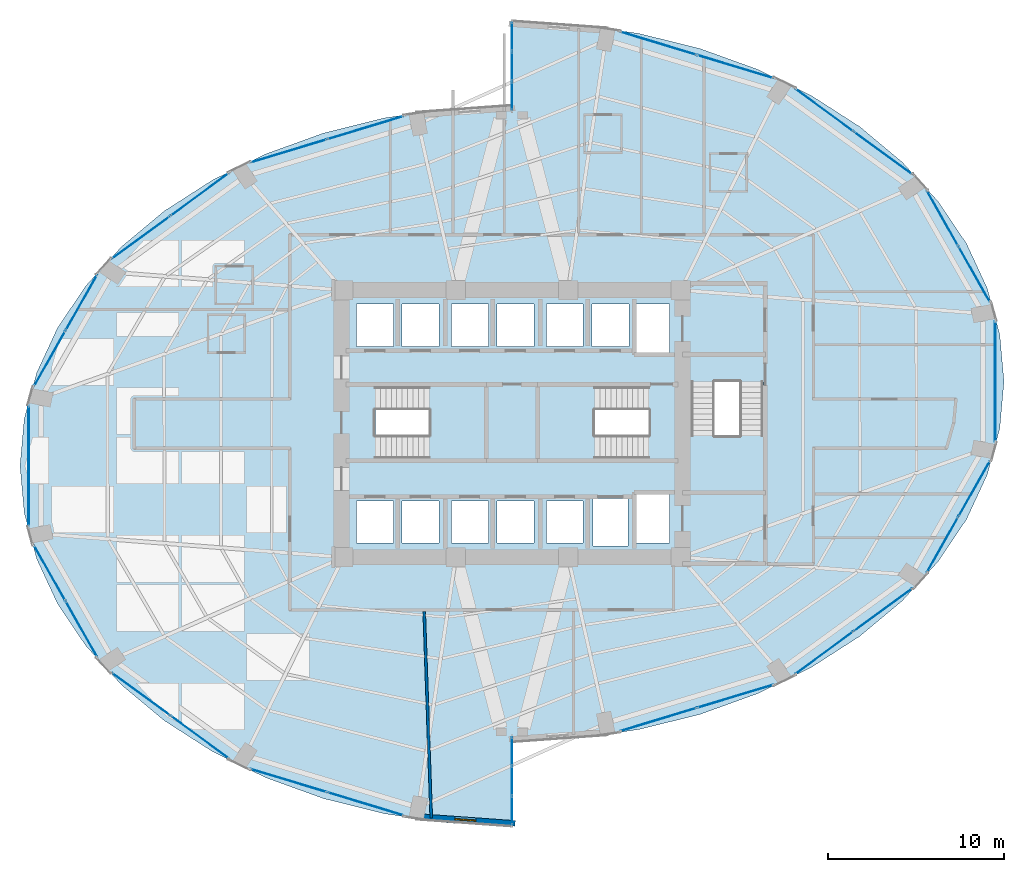
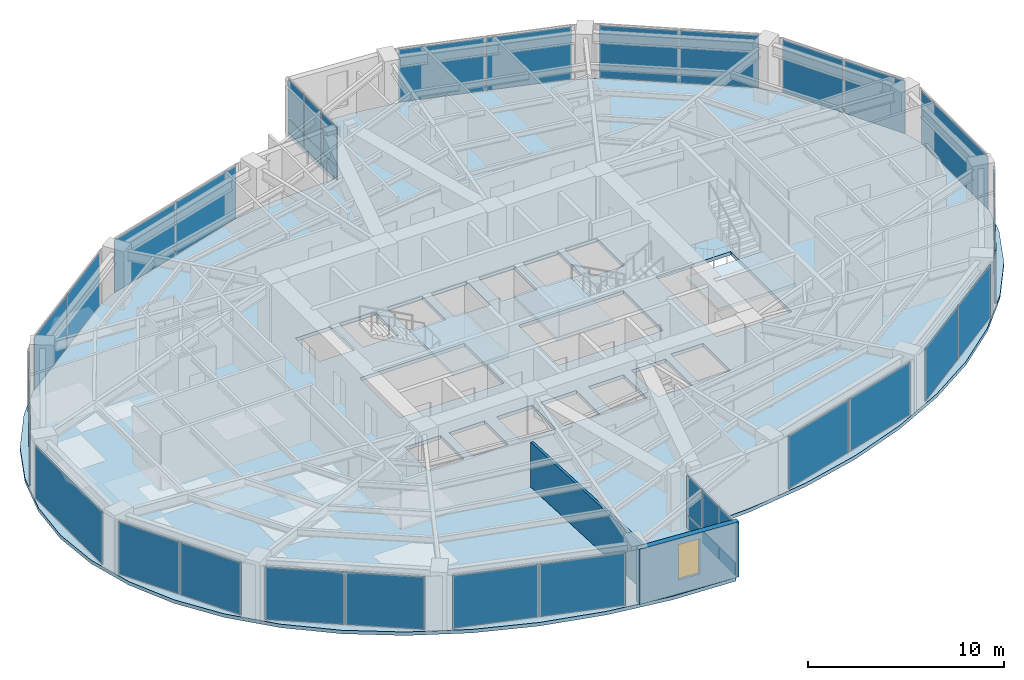
# One storey, part 20 of 25: 38 plates, 4 slabs, 2 walls, 1 window, 1 opening, 19 elements without a shape of their own.
"""IFC4 building model written with IfcOpenShell, lengths in metres."""

from ifc_helpers import new_model, si_unit, direction, frame, frame_2d, origin, origin_2d, place, context, subcontext, project, spatial, polyline, rectangle, outline, extrude, material, layer, layer_set, type_object, element, fill, aggregate, save


model = new_model("IFC4")

# Units and contexts
model_context = context("Model", 3, precision=1e-05, world=origin(), true_north=direction((0.0, 1.0)))
body_context = subcontext(model_context, "Body", "Model", "MODEL_VIEW")
ifc_project = project(units=[si_unit("LENGTHUNIT", "METRE"), si_unit("AREAUNIT", "SQUARE_METRE"), si_unit("VOLUMEUNIT", "CUBIC_METRE"), si_unit("PLANEANGLEUNIT", "RADIAN"), si_unit("MASSUNIT", "GRAM", prefix="KILO")], contexts=[model_context])

# Site, building, storey
site_placement = place(None, origin())
site = spatial("IfcSite", under=ifc_project, at=site_placement, CompositionType="ELEMENT")
building_placement = place(site_placement, origin())
building = spatial("IfcBuilding", under=site, at=building_placement, Name="Lazwardi Medical Tower", CompositionType="ELEMENT")
storey_placement = place(building_placement, frame((0.0, 0.0, 50.736083984375)))
storey = spatial("IfcBuildingStorey", under=building, at=storey_placement, Name="L12", CompositionType="ELEMENT", Elevation=50.736083984375)

# Curtain wall, plates
ifc_material_1 = material(Name="Anodised bronze aluminium and solar control glazing", Category="aluminium")
ifc_layer_1 = layer(ifc_material_1, 0.199951171875)
ifc_layer_set_1 = layer_set([ifc_layer_1], Name="Anodised bronze aluminium and solar control glazing")
curtain_wall_type_1 = type_object("IfcCurtainWallType", Name="CW-SYS-02", PredefinedType="NOTDEFINED", material=ifc_layer_set_1)
curtain_wall_1_placement = place(storey_placement, origin())
curtain_wall_1 = element("IfcCurtainWall", 1, at=curtain_wall_1_placement, inside=storey, type_object=curtain_wall_type_1, Name="L12 Unitised bronze curtain wall CW-02", PredefinedType="NOTDEFINED")
ifc_material_2 = material(Name="Low-e bronze solar control double glazing", Category="glass")
ifc_layer_2 = layer(ifc_material_2, 0.035888671875)
ifc_layer_set_2 = layer_set([ifc_layer_2], Name="Low-e bronze solar control double glazing")
plate_type_1 = type_object("IfcPlateType", Name="PLT-GLZ-01", PredefinedType="CURTAIN_PANEL", material=ifc_layer_set_2)
plate_1_placement = place(storey_placement, frame((44.335693359375, 11.158935546875, 0.07470703125), z_axis=(0.0, 0.0, 1.0), x_axis=(0.957058247129, 0.2898956909, 0.0)))
plate_1 = element("IfcPlate", 2, at=plate_1_placement, type_object=plate_type_1, Name="CW-02 panel 1.1", PredefinedType="CURTAIN_PANEL", context=body_context, shape_type="SweptSolid", body=[
    extrude(rectangle(XDim=4.49658203125, YDim=0.035888671875, at=origin_2d()), origin(), (0.0, 0.0, 1.0), 3.278076171875),
])
plate_2_placement = place(storey_placement, frame((48.7109375, 12.484130859375, 0.07470703125), z_axis=(0.0, 0.0, 1.0), x_axis=(0.957058247129, 0.2898956909, 0.0)))
plate_2 = element("IfcPlate", 3, at=plate_2_placement, type_object=plate_type_1, Name="CW-02 panel 2.1", PredefinedType="CURTAIN_PANEL", context=body_context, shape_type="SweptSolid", body=[
    extrude(rectangle(XDim=4.49658203125, YDim=0.035888671875, at=origin_2d()), origin(), (0.0, 0.0, 1.0), 3.278076171875),
])
aggregate(curtain_wall_1, [plate_1, plate_2])

curtain_wall_2_placement = place(storey_placement, origin())
curtain_wall_2 = element("IfcCurtainWall", 4, at=curtain_wall_2_placement, inside=storey, type_object=curtain_wall_type_1, Name="L12 Unitised bronze curtain wall CW-02", PredefinedType="NOTDEFINED")
plate_3_placement = place(storey_placement, frame((53.771484375, 14.957275390625, 0.07470703125), z_axis=(0.0, 0.0, 1.0), x_axis=(0.807191757663, 0.590289307341, 0.0)))
plate_3 = element("IfcPlate", 5, at=plate_3_placement, type_object=plate_type_1, Name="CW-02 panel 1.1", PredefinedType="CURTAIN_PANEL", context=body_context, shape_type="SweptSolid", body=[
    extrude(rectangle(XDim=4.070068359375, YDim=0.035888671875, at=origin_2d()), origin(), (0.0, 0.0, 1.0), 3.278076171875),
])
plate_4_placement = place(storey_placement, frame((57.117431640625, 17.404052734375, 0.07470703125), z_axis=(0.0, 0.0, 1.0), x_axis=(0.807191757663, 0.590289307341, 0.0)))
plate_4 = element("IfcPlate", 6, at=plate_4_placement, type_object=plate_type_1, Name="CW-02 panel 2.1", PredefinedType="CURTAIN_PANEL", context=body_context, shape_type="SweptSolid", body=[
    extrude(rectangle(XDim=4.070068359375, YDim=0.035888671875, at=origin_2d()), origin(), (0.0, 0.0, 1.0), 3.278076171875),
])
aggregate(curtain_wall_2, [plate_3, plate_4])

curtain_wall_3_placement = place(storey_placement, origin())
curtain_wall_3 = element("IfcCurtainWall", 7, at=curtain_wall_3_placement, inside=storey, type_object=curtain_wall_type_1, Name="L12 Unitised bronze curtain wall CW-02", PredefinedType="NOTDEFINED")
plate_5_placement = place(storey_placement, frame((60.5009765625, 21.10791015625, 0.07470703125), z_axis=(0.0, 0.0, 1.0), x_axis=(0.492854327303, 0.870111838823, 0.0)))
plate_5 = element("IfcPlate", 8, at=plate_5_placement, type_object=plate_type_1, Name="CW-02 panel 1.1", PredefinedType="CURTAIN_PANEL", context=body_context, shape_type="SweptSolid", body=[
    extrude(rectangle(XDim=3.5947265625, YDim=0.035888671875, at=origin_2d()), origin(), (0.0, 0.0, 1.0), 3.278076171875),
])
plate_6_placement = place(storey_placement, frame((62.3095703125, 24.301025390625, 0.07470703125), z_axis=(0.0, 0.0, 1.0), x_axis=(0.492854327303, 0.870111838823, 0.0)))
plate_6 = element("IfcPlate", 9, at=plate_6_placement, type_object=plate_type_1, Name="CW-02 panel 2.1", PredefinedType="CURTAIN_PANEL", context=body_context, shape_type="SweptSolid", body=[
    extrude(rectangle(XDim=3.5947265625, YDim=0.035888671875, at=origin_2d()), origin(), (0.0, 0.0, 1.0), 3.278076171875),
])
aggregate(curtain_wall_3, [plate_5, plate_6])

# Curtain wall, plate
curtain_wall_4_placement = place(storey_placement, origin())
curtain_wall_4 = element("IfcCurtainWall", 10, at=curtain_wall_4_placement, inside=storey, type_object=curtain_wall_type_1, Name="L12 Unitised bronze curtain wall CW-02", PredefinedType="NOTDEFINED")
plate_7_placement = place(storey_placement, frame((63.49853515625, 30.39990234375, 0.07470703125), z_axis=(0.0, 0.0, 1.0), x_axis=(0.0, 1.0, 0.0)))
plate_7 = element("IfcPlate", 11, at=plate_7_placement, type_object=plate_type_1, Name="CW-02 panel 1.1", PredefinedType="CURTAIN_PANEL", context=body_context, shape_type="SweptSolid", body=[
    extrude(rectangle(XDim=6.8330078125, YDim=0.035888671875, at=origin_2d()), origin(), (0.0, 0.0, 1.0), 3.278076171875),
])
aggregate(curtain_wall_4, [plate_7])

# Curtain wall, plates
curtain_wall_5_placement = place(storey_placement, origin())
curtain_wall_5 = element("IfcCurtainWall", 12, at=curtain_wall_5_placement, inside=storey, type_object=curtain_wall_type_1, Name="L12 Unitised bronze curtain wall CW-02", PredefinedType="NOTDEFINED")
plate_8_placement = place(storey_placement, frame((62.3095703125, 36.498779296875, 0.07470703125), z_axis=(0.0, 0.0, 1.0), x_axis=(-0.492854327303, 0.870111838823, 0.0)))
plate_8 = element("IfcPlate", 13, at=plate_8_placement, type_object=plate_type_1, Name="CW-02 panel 1.1", PredefinedType="CURTAIN_PANEL", context=body_context, shape_type="SweptSolid", body=[
    extrude(rectangle(XDim=3.5947265625, YDim=0.035888671875, at=origin_2d()), origin(), (0.0, 0.0, 1.0), 3.278076171875),
])
plate_9_placement = place(storey_placement, frame((60.5009765625, 39.69189453125, 0.07470703125), z_axis=(0.0, 0.0, 1.0), x_axis=(-0.492854327303, 0.870111838823, 0.0)))
plate_9 = element("IfcPlate", 14, at=plate_9_placement, type_object=plate_type_1, Name="CW-02 panel 2.1", PredefinedType="CURTAIN_PANEL", context=body_context, shape_type="SweptSolid", body=[
    extrude(rectangle(XDim=3.5947265625, YDim=0.035888671875, at=origin_2d()), origin(), (0.0, 0.0, 1.0), 3.278076171875),
])
aggregate(curtain_wall_5, [plate_8, plate_9])

curtain_wall_6_placement = place(storey_placement, origin())
curtain_wall_6 = element("IfcCurtainWall", 15, at=curtain_wall_6_placement, inside=storey, type_object=curtain_wall_type_1, Name="L12 Unitised bronze curtain wall CW-02", PredefinedType="NOTDEFINED")
plate_10_placement = place(storey_placement, frame((57.117431640625, 43.39599609375, 0.07470703125), z_axis=(0.0, 0.0, 1.0), x_axis=(-0.807191757663, 0.590289307341, 0.0)))
plate_10 = element("IfcPlate", 16, at=plate_10_placement, type_object=plate_type_1, Name="CW-02 panel 1.1", PredefinedType="CURTAIN_PANEL", context=body_context, shape_type="SweptSolid", body=[
    extrude(rectangle(XDim=4.070068359375, YDim=0.035888671875, at=origin_2d()), origin(), (0.0, 0.0, 1.0), 3.278076171875),
])
plate_11_placement = place(storey_placement, frame((53.771484375, 45.8427734375, 0.07470703125), z_axis=(0.0, 0.0, 1.0), x_axis=(-0.807191757663, 0.590289307341, 0.0)))
plate_11 = element("IfcPlate", 17, at=plate_11_placement, type_object=plate_type_1, Name="CW-02 panel 2.1", PredefinedType="CURTAIN_PANEL", context=body_context, shape_type="SweptSolid", body=[
    extrude(rectangle(XDim=4.070068359375, YDim=0.035888671875, at=origin_2d()), origin(), (0.0, 0.0, 1.0), 3.278076171875),
])
aggregate(curtain_wall_6, [plate_10, plate_11])

curtain_wall_7_placement = place(storey_placement, origin())
curtain_wall_7 = element("IfcCurtainWall", 18, at=curtain_wall_7_placement, inside=storey, type_object=curtain_wall_type_1, Name="L12 Unitised bronze curtain wall CW-02", PredefinedType="NOTDEFINED")
plate_12_placement = place(storey_placement, frame((48.7109375, 48.31591796875, 0.07470703125), z_axis=(0.0, 0.0, 1.0), x_axis=(-0.957058247129, 0.2898956909, 0.0)))
plate_12 = element("IfcPlate", 19, at=plate_12_placement, type_object=plate_type_1, Name="CW-02 panel 1.1", PredefinedType="CURTAIN_PANEL", context=body_context, shape_type="SweptSolid", body=[
    extrude(rectangle(XDim=4.49658203125, YDim=0.035888671875, at=origin_2d()), origin(), (0.0, 0.0, 1.0), 3.278076171875),
])
plate_13_placement = place(storey_placement, frame((44.335693359375, 49.64111328125, 0.07470703125), z_axis=(0.0, 0.0, 1.0), x_axis=(-0.957058247129, 0.2898956909, 0.0)))
plate_13 = element("IfcPlate", 20, at=plate_13_placement, type_object=plate_type_1, Name="CW-02 panel 2.1", PredefinedType="CURTAIN_PANEL", context=body_context, shape_type="SweptSolid", body=[
    extrude(rectangle(XDim=4.49658203125, YDim=0.035888671875, at=origin_2d()), origin(), (0.0, 0.0, 1.0), 3.278076171875),
])
aggregate(curtain_wall_7, [plate_12, plate_13])

curtain_wall_8_placement = place(storey_placement, origin())
curtain_wall_8 = element("IfcCurtainWall", 21, at=curtain_wall_8_placement, inside=storey, type_object=curtain_wall_type_1, Name="L12 Unitised bronze curtain wall CW-02", PredefinedType="NOTDEFINED")
plate_14_placement = place(storey_placement, frame((27.664306640625, 44.841064453125, 0.07470703125), z_axis=(0.0, 0.0, 1.0), x_axis=(-0.957058247129, -0.2898956909, 0.0)))
plate_14 = element("IfcPlate", 22, at=plate_14_placement, type_object=plate_type_1, Name="CW-02 panel 1.1", PredefinedType="CURTAIN_PANEL", context=body_context, shape_type="SweptSolid", body=[
    extrude(rectangle(XDim=4.49658203125, YDim=0.035888671875, at=origin_2d()), origin(), (0.0, 0.0, 1.0), 3.278076171875),
])
plate_15_placement = place(storey_placement, frame((23.2890625, 43.515869140625, 0.07470703125), z_axis=(0.0, 0.0, 1.0), x_axis=(-0.957058247129, -0.2898956909, 0.0)))
plate_15 = element("IfcPlate", 23, at=plate_15_placement, type_object=plate_type_1, Name="CW-02 panel 2.1", PredefinedType="CURTAIN_PANEL", context=body_context, shape_type="SweptSolid", body=[
    extrude(rectangle(XDim=4.49658203125, YDim=0.035888671875, at=origin_2d()), origin(), (0.0, 0.0, 1.0), 3.278076171875),
])
aggregate(curtain_wall_8, [plate_14, plate_15])

curtain_wall_9_placement = place(storey_placement, origin())
curtain_wall_9 = element("IfcCurtainWall", 24, at=curtain_wall_9_placement, inside=storey, type_object=curtain_wall_type_1, Name="L12 Unitised bronze curtain wall CW-02", PredefinedType="NOTDEFINED")
plate_16_placement = place(storey_placement, frame((18.228515625, 41.042724609375, 0.07470703125), z_axis=(0.0, 0.0, 1.0), x_axis=(-0.807191757663, -0.590289307341, 0.0)))
plate_16 = element("IfcPlate", 25, at=plate_16_placement, type_object=plate_type_1, Name="CW-02 panel 1.1", PredefinedType="CURTAIN_PANEL", context=body_context, shape_type="SweptSolid", body=[
    extrude(rectangle(XDim=4.070068359375, YDim=0.035888671875, at=origin_2d()), origin(), (0.0, 0.0, 1.0), 3.278076171875),
])
plate_17_placement = place(storey_placement, frame((14.882568359375, 38.595947265625, 0.07470703125), z_axis=(0.0, 0.0, 1.0), x_axis=(-0.807191757663, -0.590289307341, 0.0)))
plate_17 = element("IfcPlate", 26, at=plate_17_placement, type_object=plate_type_1, Name="CW-02 panel 2.1", PredefinedType="CURTAIN_PANEL", context=body_context, shape_type="SweptSolid", body=[
    extrude(rectangle(XDim=4.070068359375, YDim=0.035888671875, at=origin_2d()), origin(), (0.0, 0.0, 1.0), 3.278076171875),
])
aggregate(curtain_wall_9, [plate_16, plate_17])

curtain_wall_10_placement = place(storey_placement, origin())
curtain_wall_10 = element("IfcCurtainWall", 27, at=curtain_wall_10_placement, inside=storey, type_object=curtain_wall_type_1, Name="L12 Unitised bronze curtain wall CW-02", PredefinedType="NOTDEFINED")
plate_18_placement = place(storey_placement, frame((11.4990234375, 34.89208984375, 0.07470703125), z_axis=(0.0, 0.0, 1.0), x_axis=(-0.492854327303, -0.870111838823, 0.0)))
plate_18 = element("IfcPlate", 28, at=plate_18_placement, type_object=plate_type_1, Name="CW-02 panel 1.1", PredefinedType="CURTAIN_PANEL", context=body_context, shape_type="SweptSolid", body=[
    extrude(rectangle(XDim=3.5947265625, YDim=0.035888671875, at=origin_2d()), origin(), (0.0, 0.0, 1.0), 3.278076171875),
])
plate_19_placement = place(storey_placement, frame((9.6904296875, 31.698974609375, 0.07470703125), z_axis=(0.0, 0.0, 1.0), x_axis=(-0.492854327303, -0.870111838823, 0.0)))
plate_19 = element("IfcPlate", 29, at=plate_19_placement, type_object=plate_type_1, Name="CW-02 panel 2.1", PredefinedType="CURTAIN_PANEL", context=body_context, shape_type="SweptSolid", body=[
    extrude(rectangle(XDim=3.5947265625, YDim=0.035888671875, at=origin_2d()), origin(), (0.0, 0.0, 1.0), 3.278076171875),
])
aggregate(curtain_wall_10, [plate_18, plate_19])

# Curtain wall, plate
curtain_wall_11_placement = place(storey_placement, origin())
curtain_wall_11 = element("IfcCurtainWall", 30, at=curtain_wall_11_placement, inside=storey, type_object=curtain_wall_type_1, Name="L12 Unitised bronze curtain wall CW-02", PredefinedType="NOTDEFINED")
plate_20_placement = place(storey_placement, frame((8.50146484375, 25.60009765625, 0.07470703125), z_axis=(0.0, 0.0, 1.0), x_axis=(0.0, -1.0, 0.0)))
plate_20 = element("IfcPlate", 31, at=plate_20_placement, type_object=plate_type_1, Name="CW-02 panel 1.1", PredefinedType="CURTAIN_PANEL", context=body_context, shape_type="SweptSolid", body=[
    extrude(rectangle(XDim=6.8330078125, YDim=0.035888671875, at=origin_2d()), origin(), (0.0, 0.0, 1.0), 3.278076171875),
])
aggregate(curtain_wall_11, [plate_20])

# Curtain wall, plates
curtain_wall_12_placement = place(storey_placement, origin())
curtain_wall_12 = element("IfcCurtainWall", 32, at=curtain_wall_12_placement, inside=storey, type_object=curtain_wall_type_1, Name="L12 Unitised bronze curtain wall CW-02", PredefinedType="NOTDEFINED")
plate_21_placement = place(storey_placement, frame((9.6904296875, 19.501220703125, 0.07470703125), z_axis=(0.0, 0.0, 1.0), x_axis=(0.492854327303, -0.870111838823, 0.0)))
plate_21 = element("IfcPlate", 33, at=plate_21_placement, type_object=plate_type_1, Name="CW-02 panel 1.1", PredefinedType="CURTAIN_PANEL", context=body_context, shape_type="SweptSolid", body=[
    extrude(rectangle(XDim=3.5947265625, YDim=0.035888671875, at=origin_2d()), origin(), (0.0, 0.0, 1.0), 3.278076171875),
])
plate_22_placement = place(storey_placement, frame((11.4990234375, 16.30810546875, 0.07470703125), z_axis=(0.0, 0.0, 1.0), x_axis=(0.492854327303, -0.870111838823, 0.0)))
plate_22 = element("IfcPlate", 34, at=plate_22_placement, type_object=plate_type_1, Name="CW-02 panel 2.1", PredefinedType="CURTAIN_PANEL", context=body_context, shape_type="SweptSolid", body=[
    extrude(rectangle(XDim=3.5947265625, YDim=0.035888671875, at=origin_2d()), origin(), (0.0, 0.0, 1.0), 3.278076171875),
])
aggregate(curtain_wall_12, [plate_21, plate_22])

curtain_wall_13_placement = place(storey_placement, origin())
curtain_wall_13 = element("IfcCurtainWall", 35, at=curtain_wall_13_placement, inside=storey, type_object=curtain_wall_type_1, Name="L12 Unitised bronze curtain wall CW-02", PredefinedType="NOTDEFINED")
plate_23_placement = place(storey_placement, frame((14.882568359375, 12.60400390625, 0.07470703125), z_axis=(0.0, 0.0, 1.0), x_axis=(0.807191757663, -0.590289307341, 0.0)))
plate_23 = element("IfcPlate", 36, at=plate_23_placement, type_object=plate_type_1, Name="CW-02 panel 1.1", PredefinedType="CURTAIN_PANEL", context=body_context, shape_type="SweptSolid", body=[
    extrude(rectangle(XDim=4.070068359375, YDim=0.035888671875, at=origin_2d()), origin(), (0.0, 0.0, 1.0), 3.278076171875),
])
plate_24_placement = place(storey_placement, frame((18.228515625, 10.1572265625, 0.07470703125), z_axis=(0.0, 0.0, 1.0), x_axis=(0.807191757663, -0.590289307341, 0.0)))
plate_24 = element("IfcPlate", 37, at=plate_24_placement, type_object=plate_type_1, Name="CW-02 panel 2.1", PredefinedType="CURTAIN_PANEL", context=body_context, shape_type="SweptSolid", body=[
    extrude(rectangle(XDim=4.070068359375, YDim=0.035888671875, at=origin_2d()), origin(), (0.0, 0.0, 1.0), 3.278076171875),
])
aggregate(curtain_wall_13, [plate_23, plate_24])

curtain_wall_14_placement = place(storey_placement, origin())
curtain_wall_14 = element("IfcCurtainWall", 38, at=curtain_wall_14_placement, inside=storey, type_object=curtain_wall_type_1, Name="L12 Unitised bronze curtain wall CW-02", PredefinedType="NOTDEFINED")
plate_25_placement = place(storey_placement, frame((23.2890625, 7.68408203125, 0.07470703125), z_axis=(0.0, 0.0, 1.0), x_axis=(0.957058247129, -0.2898956909, 0.0)))
plate_25 = element("IfcPlate", 39, at=plate_25_placement, type_object=plate_type_1, Name="CW-02 panel 1.1", PredefinedType="CURTAIN_PANEL", context=body_context, shape_type="SweptSolid", body=[
    extrude(rectangle(XDim=4.49658203125, YDim=0.035888671875, at=origin_2d()), origin(), (0.0, 0.0, 1.0), 3.278076171875),
])
plate_26_placement = place(storey_placement, frame((27.664306640625, 6.35888671875, 0.07470703125), z_axis=(0.0, 0.0, 1.0), x_axis=(0.957058247129, -0.2898956909, 0.0)))
plate_26 = element("IfcPlate", 40, at=plate_26_placement, type_object=plate_type_1, Name="CW-02 panel 2.1", PredefinedType="CURTAIN_PANEL", context=body_context, shape_type="SweptSolid", body=[
    extrude(rectangle(XDim=4.49658203125, YDim=0.035888671875, at=origin_2d()), origin(), (0.0, 0.0, 1.0), 3.278076171875),
])
aggregate(curtain_wall_14, [plate_25, plate_26])

ifc_layer_3 = layer(ifc_material_1, 0.2099609375)
ifc_layer_set_3 = layer_set([ifc_layer_3], Name="Anodised bronze aluminium and solar control glazing")
curtain_wall_type_2 = type_object("IfcCurtainWallType", Name="CW-SYS-06", PredefinedType="NOTDEFINED", material=ifc_layer_set_3)
curtain_wall_15_placement = place(storey_placement, origin())
curtain_wall_15 = element("IfcCurtainWall", 41, at=curtain_wall_15_placement, inside=storey, type_object=curtain_wall_type_2, Name="L12 Unitised bronze curtain wall CW-06", PredefinedType="NOTDEFINED")
ifc_material_3 = material(Name="Turquoise glazed ceramic insulated panel", Category="glass")
ifc_layer_4 = layer(ifc_material_3, 0.053955078125)
ifc_layer_set_4 = layer_set([ifc_layer_4], Name="Turquoise glazed ceramic insulated panel")
plate_type_2 = type_object("IfcPlateType", Name="PLT-TRQ-01", PredefinedType="CURTAIN_PANEL", material=ifc_layer_set_4)
plate_27_placement = place(storey_placement, frame((36.0, 50.02783203125, 0.074951171875), z_axis=(0.0, 0.0, 1.0), x_axis=(0.0, -1.0, 0.0)))
plate_27 = element("IfcPlate", 42, at=plate_27_placement, type_object=plate_type_2, Name="CW-06 panel 1.1", PredefinedType="CURTAIN_PANEL", context=body_context, shape_type="SweptSolid", body=[
    extrude(rectangle(XDim=1.59423828125, YDim=0.053955078125, at=origin_2d()), origin(), (0.0, 0.0, 1.0), 0.78759765625),
])
plate_28_placement = place(storey_placement, frame((36.0, 50.02783203125, 0.9375), z_axis=(0.0, 0.0, 1.0), x_axis=(0.0, -1.0, 0.0)))
plate_28 = element("IfcPlate", 43, at=plate_28_placement, type_object=plate_type_2, Name="CW-06 panel 1.2", PredefinedType="CURTAIN_PANEL", context=body_context, shape_type="SweptSolid", body=[
    extrude(rectangle(XDim=1.59423828125, YDim=0.053955078125, at=origin_2d()), origin(), (0.0, 0.0, 1.0), 2.41552734375),
])
plate_29_placement = place(storey_placement, frame((36.0, 48.340087890625, 0.074951171875), z_axis=(0.0, 0.0, 1.0), x_axis=(0.0, -1.0, 0.0)))
plate_29 = element("IfcPlate", 44, at=plate_29_placement, type_object=plate_type_2, Name="CW-06 panel 2.1", PredefinedType="CURTAIN_PANEL", context=body_context, shape_type="SweptSolid", body=[
    extrude(rectangle(XDim=1.631591796875, YDim=0.053955078125, at=origin_2d()), origin(), (0.0, 0.0, 1.0), 0.78759765625),
])
plate_30_placement = place(storey_placement, frame((36.0, 48.340087890625, 0.9375), z_axis=(0.0, 0.0, 1.0), x_axis=(0.0, -1.0, 0.0)))
plate_30 = element("IfcPlate", 45, at=plate_30_placement, type_object=plate_type_2, Name="CW-06 panel 2.2", PredefinedType="CURTAIN_PANEL", context=body_context, shape_type="SweptSolid", body=[
    extrude(rectangle(XDim=1.631591796875, YDim=0.053955078125, at=origin_2d()), origin(), (0.0, 0.0, 1.0), 2.41552734375),
])
plate_31_placement = place(storey_placement, frame((36.0, 46.652099609375, 0.074951171875), z_axis=(0.0, 0.0, 1.0), x_axis=(0.0, -1.0, 0.0)))
plate_31 = element("IfcPlate", 46, at=plate_31_placement, type_object=plate_type_2, Name="CW-06 panel 3.1", PredefinedType="CURTAIN_PANEL", context=body_context, shape_type="SweptSolid", body=[
    extrude(rectangle(XDim=1.59423828125, YDim=0.053955078125, at=origin_2d()), origin(), (0.0, 0.0, 1.0), 0.78759765625),
])
plate_32_placement = place(storey_placement, frame((36.0, 46.652099609375, 0.9375), z_axis=(0.0, 0.0, 1.0), x_axis=(0.0, -1.0, 0.0)))
plate_32 = element("IfcPlate", 47, at=plate_32_placement, type_object=plate_type_2, Name="CW-06 panel 3.2", PredefinedType="CURTAIN_PANEL", context=body_context, shape_type="SweptSolid", body=[
    extrude(rectangle(XDim=1.59423828125, YDim=0.053955078125, at=origin_2d()), origin(), (0.0, 0.0, 1.0), 2.41552734375),
])
aggregate(curtain_wall_15, [plate_27, plate_28, plate_29, plate_30, plate_31, plate_32])

curtain_wall_16_placement = place(storey_placement, origin())
curtain_wall_16 = element("IfcCurtainWall", 48, at=curtain_wall_16_placement, inside=storey, type_object=curtain_wall_type_2, Name="L12 Unitised bronze curtain wall CW-06", PredefinedType="NOTDEFINED")
plate_33_placement = place(storey_placement, frame((36.0, 5.97216796875, 0.074951171875), z_axis=(0.0, 0.0, 1.0), x_axis=(0.0, 1.0, 0.0)))
plate_33 = element("IfcPlate", 49, at=plate_33_placement, type_object=plate_type_2, Name="CW-06 panel 1.1", PredefinedType="CURTAIN_PANEL", context=body_context, shape_type="SweptSolid", body=[
    extrude(rectangle(XDim=1.59423828125, YDim=0.053955078125, at=origin_2d()), origin(), (0.0, 0.0, 1.0), 0.78759765625),
])
plate_34_placement = place(storey_placement, frame((36.0, 5.97216796875, 0.9375), z_axis=(0.0, 0.0, 1.0), x_axis=(0.0, 1.0, 0.0)))
plate_34 = element("IfcPlate", 50, at=plate_34_placement, type_object=plate_type_2, Name="CW-06 panel 1.2", PredefinedType="CURTAIN_PANEL", context=body_context, shape_type="SweptSolid", body=[
    extrude(rectangle(XDim=1.59423828125, YDim=0.053955078125, at=origin_2d()), origin(), (0.0, 0.0, 1.0), 2.41552734375),
])
plate_35_placement = place(storey_placement, frame((36.0, 7.659912109375, 0.074951171875), z_axis=(0.0, 0.0, 1.0), x_axis=(0.0, 1.0, 0.0)))
plate_35 = element("IfcPlate", 51, at=plate_35_placement, type_object=plate_type_2, Name="CW-06 panel 2.1", PredefinedType="CURTAIN_PANEL", context=body_context, shape_type="SweptSolid", body=[
    extrude(rectangle(XDim=1.631591796875, YDim=0.053955078125, at=origin_2d()), origin(), (0.0, 0.0, 1.0), 0.78759765625),
])
plate_36_placement = place(storey_placement, frame((36.0, 7.659912109375, 0.9375), z_axis=(0.0, 0.0, 1.0), x_axis=(0.0, 1.0, 0.0)))
plate_36 = element("IfcPlate", 52, at=plate_36_placement, type_object=plate_type_2, Name="CW-06 panel 2.2", PredefinedType="CURTAIN_PANEL", context=body_context, shape_type="SweptSolid", body=[
    extrude(rectangle(XDim=1.631591796875, YDim=0.053955078125, at=origin_2d()), origin(), (0.0, 0.0, 1.0), 2.41552734375),
])
plate_37_placement = place(storey_placement, frame((36.0, 9.347900390625, 0.074951171875), z_axis=(0.0, 0.0, 1.0), x_axis=(0.0, 1.0, 0.0)))
plate_37 = element("IfcPlate", 53, at=plate_37_placement, type_object=plate_type_2, Name="CW-06 panel 3.1", PredefinedType="CURTAIN_PANEL", context=body_context, shape_type="SweptSolid", body=[
    extrude(rectangle(XDim=1.59423828125, YDim=0.053955078125, at=origin_2d()), origin(), (0.0, 0.0, 1.0), 0.78759765625),
])
plate_38_placement = place(storey_placement, frame((36.0, 9.347900390625, 0.9375), z_axis=(0.0, 0.0, 1.0), x_axis=(0.0, 1.0, 0.0)))
plate_38 = element("IfcPlate", 54, at=plate_38_placement, type_object=plate_type_2, Name="CW-06 panel 3.2", PredefinedType="CURTAIN_PANEL", context=body_context, shape_type="SweptSolid", body=[
    extrude(rectangle(XDim=1.59423828125, YDim=0.053955078125, at=origin_2d()), origin(), (0.0, 0.0, 1.0), 2.41552734375),
])
aggregate(curtain_wall_16, [plate_33, plate_34, plate_35, plate_36, plate_37, plate_38])

# Stair, slab
ifc_material_4 = material(Name="Concrete C45/55", Category="concrete")
stair_type = type_object("IfcStairType", Name="STR-WRD", PredefinedType="HALF_TURN_STAIR", material=ifc_material_4)
stair_1_placement = place(storey_placement, origin())
stair_1 = element("IfcStair", 55, at=stair_1_placement, inside=storey, type_object=stair_type, Name="L12 Protected Exit Stair ST1", PredefinedType="HALF_TURN_STAIR")
ifc_layer_5 = layer(ifc_material_4, 0.199951171875)
ifc_layer_set_5 = layer_set([ifc_layer_5], Name="Concrete C45/55")
slab_type_1 = type_object("IfcSlabType", Name="SLB-LND-190", PredefinedType="LANDING", material=ifc_layer_set_5)
slab_1_placement = place(storey_placement, frame((0.0, 0.0, 1.6240234375)))
slab_1 = element("IfcSlab", 56, at=slab_1_placement, type_object=slab_type_1, Name="ST1 landing 1", PredefinedType="LANDING", context=body_context, shape_type="SweptSolid", body=[
    extrude(outline(polyline([(31.27490234375, 25.840087890625), (34.580078125, 25.840087890625), (34.580078125, 30.280029296875), (31.27490234375, 30.280029296875), (31.27490234375, 25.840087890625)])), origin(), (0.0, 0.0, 1.0), 0.199951171875),
])
aggregate(stair_1, [slab_1])

stair_2_placement = place(storey_placement, origin())
stair_2 = element("IfcStair", 57, at=stair_2_placement, inside=storey, type_object=stair_type, Name="L12 Protected Exit Stair ST2", PredefinedType="HALF_TURN_STAIR")
slab_2_placement = place(storey_placement, frame((0.0, 0.0, 1.6240234375)))
slab_2 = element("IfcSlab", 58, at=slab_2_placement, type_object=slab_type_1, Name="ST2 landing 1", PredefinedType="LANDING", context=body_context, shape_type="SweptSolid", body=[
    extrude(outline(polyline([(40.72509765625, 30.280029296875), (37.419921875, 30.280029296875), (37.419921875, 25.840087890625), (40.72509765625, 25.840087890625), (40.72509765625, 30.280029296875)])), origin(), (0.0, 0.0, 1.0), 0.199951171875),
])
aggregate(stair_2, [slab_2])

stair_3_placement = place(storey_placement, origin())
stair_3 = element("IfcStair", 59, at=stair_3_placement, inside=storey, type_object=stair_type, Name="L12 Protected Exit Stair ST3", PredefinedType="HALF_TURN_STAIR")
slab_3_placement = place(storey_placement, frame((0.0, 0.0, 1.6240234375)))
slab_3 = element("IfcSlab", 60, at=slab_3_placement, type_object=slab_type_1, Name="ST3 landing 1", PredefinedType="LANDING", context=body_context, shape_type="SweptSolid", body=[
    extrude(outline(polyline([(45.860107421875, 27.324951171875), (45.860107421875, 24.02001953125), (50.4599609375, 24.02001953125), (50.4599609375, 27.324951171875), (45.860107421875, 27.324951171875)])), origin(), (0.0, 0.0, 1.0), 0.199951171875),
])
aggregate(stair_3, [slab_3])

# Slab
ifc_material_5 = material(Name="Concrete C50/60", Category="concrete")
ifc_layer_6 = layer(ifc_material_5, 0.219970703125)
ifc_layer_set_6 = layer_set([ifc_layer_6], Name="Concrete C50/60")
slab_type_2 = type_object("IfcSlabType", Name="SLB-WRD-220", PredefinedType="FLOOR", material=ifc_layer_set_6)
slab_4_placement = place(storey_placement, frame((0.0, 0.0, -0.219970703125)))
element("IfcSlab", 61, at=slab_4_placement, inside=storey, type_object=slab_type_2, Name="Structural floor slab SF-03 L12", PredefinedType="FLOOR", context=body_context, shape_type="SweptSolid", body=[
    extrude(outline(polyline([(10.13134765625, 33.445068359375), (8.9541015625, 30.90576171875), (8.239501953125, 28.27587890625), (8.0, 25.60009765625), (8.239501953125, 22.92431640625), (8.9541015625, 20.294189453125), (10.13134765625, 17.7548828125), (11.751220703125, 15.35009765625), (13.7861328125, 13.120361328125), (16.200927734375, 11.104248046875), (18.95458984375, 9.336181640625), (22.0, 7.846435546875), (25.284912109375, 6.660400390625), (28.753173828125, 5.798583984375), (32.34521484375, 5.275390625), (36.0, 5.10009765625), (36.0, 9.89990234375), (39.65478515625, 10.075439453125), (43.246826171875, 10.598388671875), (46.715087890625, 11.46044921875), (50.0, 12.646484375), (53.04541015625, 14.13623046875), (55.799072265625, 15.904296875), (58.2138671875, 17.92041015625), (60.248779296875, 20.14990234375), (61.86865234375, 22.554931640625), (63.0458984375, 25.09423828125), (63.760498046875, 27.72412109375), (64.0, 30.39990234375), (63.760498046875, 33.07568359375), (63.0458984375, 35.705810546875), (61.86865234375, 38.2451171875), (60.248779296875, 40.64990234375), (58.2138671875, 42.879638671875), (55.799072265625, 44.895751953125), (53.04541015625, 46.663818359375), (50.0, 48.153564453125), (46.715087890625, 49.339599609375), (43.246826171875, 50.201416015625), (39.65478515625, 50.724609375), (36.0, 50.89990234375), (36.0, 46.10009765625), (32.34521484375, 45.924560546875), (28.753173828125, 45.401611328125), (25.284912109375, 44.53955078125), (22.0, 43.353515625), (18.95458984375, 41.86376953125), (16.200927734375, 40.095703125), (13.7861328125, 38.07958984375), (11.751220703125, 35.85009765625), (10.13134765625, 33.445068359375)]), holes=[polyline([(28.22509765625, 26.02001953125), (28.22509765625, 30.10009765625), (34.39990234375, 30.10009765625), (34.39990234375, 26.02001953125), (28.22509765625, 26.02001953125)]), polyline([(37.60009765625, 30.10009765625), (43.77490234375, 30.10009765625), (43.77490234375, 26.02001953125), (37.60009765625, 26.02001953125), (37.60009765625, 30.10009765625)]), polyline([(50.280029296875, 30.375), (50.280029296875, 24.179931640625), (45.840087890625, 24.179931640625), (45.840087890625, 30.375), (50.280029296875, 30.375)]), polyline([(29.25, 32.39990234375), (27.14990234375, 32.39990234375), (27.14990234375, 34.800048828125), (29.25, 34.800048828125), (29.25, 32.39990234375)]), polyline([(29.75, 32.39990234375), (29.75, 34.800048828125), (31.85009765625, 34.800048828125), (31.85009765625, 32.39990234375), (29.75, 32.39990234375)]), polyline([(27.14990234375, 23.60009765625), (29.25, 23.60009765625), (29.25, 21.199951171875), (27.14990234375, 21.199951171875), (27.14990234375, 23.60009765625)]), polyline([(31.85009765625, 23.60009765625), (31.85009765625, 21.199951171875), (29.75, 21.199951171875), (29.75, 23.60009765625), (31.85009765625, 23.60009765625)]), polyline([(34.64990234375, 32.39990234375), (32.550048828125, 32.39990234375), (32.550048828125, 34.800048828125), (34.64990234375, 34.800048828125), (34.64990234375, 32.39990234375)]), polyline([(35.14990234375, 32.39990234375), (35.14990234375, 34.800048828125), (37.25, 34.800048828125), (37.25, 32.39990234375), (35.14990234375, 32.39990234375)]), polyline([(32.550048828125, 23.60009765625), (34.64990234375, 23.60009765625), (34.64990234375, 21.199951171875), (32.550048828125, 21.199951171875), (32.550048828125, 23.60009765625)]), polyline([(37.25, 23.60009765625), (37.25, 21.199951171875), (35.14990234375, 21.199951171875), (35.14990234375, 23.60009765625), (37.25, 23.60009765625)]), polyline([(40.050048828125, 32.39990234375), (37.949951171875, 32.39990234375), (37.949951171875, 34.800048828125), (40.050048828125, 34.800048828125), (40.050048828125, 32.39990234375)]), polyline([(40.550048828125, 32.39990234375), (40.550048828125, 34.800048828125), (42.64990234375, 34.800048828125), (42.64990234375, 32.39990234375), (40.550048828125, 32.39990234375)]), polyline([(37.949951171875, 23.60009765625), (40.050048828125, 23.60009765625), (40.050048828125, 21.199951171875), (37.949951171875, 21.199951171875), (37.949951171875, 23.60009765625)]), polyline([(44.949951171875, 34.800048828125), (44.949951171875, 32.0), (43.050048828125, 32.0), (43.050048828125, 34.800048828125), (44.949951171875, 34.800048828125)]), polyline([(44.949951171875, 21.199951171875), (43.050048828125, 21.199951171875), (43.050048828125, 24.0), (44.949951171875, 24.0), (44.949951171875, 21.199951171875)]), polyline([(40.60009765625, 21.050048828125), (40.60009765625, 23.75), (42.60009765625, 23.75), (42.60009765625, 21.050048828125), (40.60009765625, 21.050048828125)])]), origin(), (0.0, 0.0, 1.0), 0.219970703125),
])

# Wall, opening, window
ifc_material_6 = material(Name="Precast concrete C45/55", Category="concrete")
ifc_layer_7 = layer(ifc_material_6, 0.320068359375)
ifc_layer_set_7 = layer_set([ifc_layer_7], Name="Precast concrete C45/55")
wall_type_1 = type_object("IfcWallType", Name="WL-IWAN-320", PredefinedType="SOLIDWALL", material=ifc_layer_set_7)
wall_1_placement = place(storey_placement, frame((30.518798828125, 5.654296875, 0.0), z_axis=(0.0, 0.0, 1.0), x_axis=(0.997421878774, -0.071760683825, 0.0)))
wall_1 = element("IfcWall", 62, at=wall_1_placement, inside=storey, type_object=wall_type_1, Name="L12 Iwan Portal Return Wall SW_ret", PredefinedType="SOLIDWALL", context=body_context, shape_type="SweptSolid", body=[
    extrude(rectangle(XDim=5.6748046875, YDim=0.320068359375, at=frame_2d((2.83740234375, 0.0))), origin(), (0.0, 0.0, 1.0), 3.427978515625),
])
opening_placement = place(wall_1_placement, frame((2.2373046875, 0.0, 0.85009765625)))
opening = element("IfcOpeningElement", 63, at=opening_placement, cuts=wall_1, Name="Opening WN-01", PredefinedType="OPENING", context=body_context, shape_type="SweptSolid", body=[
    extrude(rectangle(XDim=1.199951171875, YDim=2.199951171875, at=frame_2d((0.60009765625, 1.10009765625))), frame((0.0, 0.169921875, 0.0), z_axis=(0.0, -1.0, 0.0), x_axis=(1.0, 0.0, 0.0)), (0.0, 0.0, 1.0), 0.340087890625),
])
window_type = type_object("IfcWindowType", Name="WIN-IW-1200", PartitioningType="SINGLE_PANEL", PredefinedType="WINDOW", material=ifc_material_2)
window_placement = place(opening_placement, origin())
window = element("IfcWindow", 64, at=window_placement, inside=storey, type_object=window_type, Name="L12 Iwan Slot Window SW_ret", OverallHeight=2.199951171875, OverallWidth=1.199951171875, PartitioningType="SINGLE_PANEL", PredefinedType="WINDOW", context=body_context, shape_type="SweptSolid", body=[
    extrude(rectangle(XDim=1.199951171875, YDim=2.199951171875, at=frame_2d((0.60009765625, 1.10009765625))), frame((0.0, 0.030029296875, 0.0), z_axis=(0.0, -1.0, 0.0), x_axis=(1.0, 0.0, 0.0)), (0.0, 0.0, 1.0), 0.06005859375),
])
fill(opening, window)

# Wall
ifc_material_7 = material(Name="Acoustic gypsum board partition")
ifc_layer_8 = layer(ifc_material_7, 0.14990234375)
ifc_layer_set_8 = layer_set([ifc_layer_8], Name="Acoustic gypsum board partition")
wall_type_2 = type_object("IfcWallType", Name="WL-WRD-150", PredefinedType="PARTITIONING", material=ifc_layer_set_8)
wall_2_placement = place(storey_placement, frame((31.405029296875, 5.55908203125, 0.0), z_axis=(0.0, 0.0, 1.0), x_axis=(-0.034219123574, 0.9994143543, 0.0)))
element("IfcWall", 65, at=wall_2_placement, inside=storey, type_object=wall_type_2, Name="L12 Room partition 12", PredefinedType="PARTITIONING", context=body_context, shape_type="SweptSolid", body=[
    extrude(rectangle(XDim=11.7578125, YDim=0.14990234375, at=frame_2d((5.87890625, 0.0))), origin(), (0.0, 0.0, 1.0), 2.81298828125),
])

save(model, "model.ifc")
